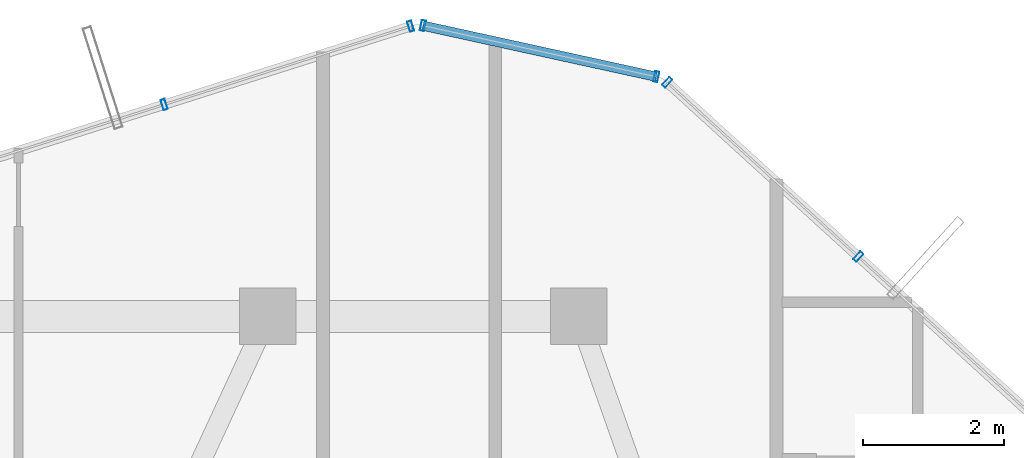
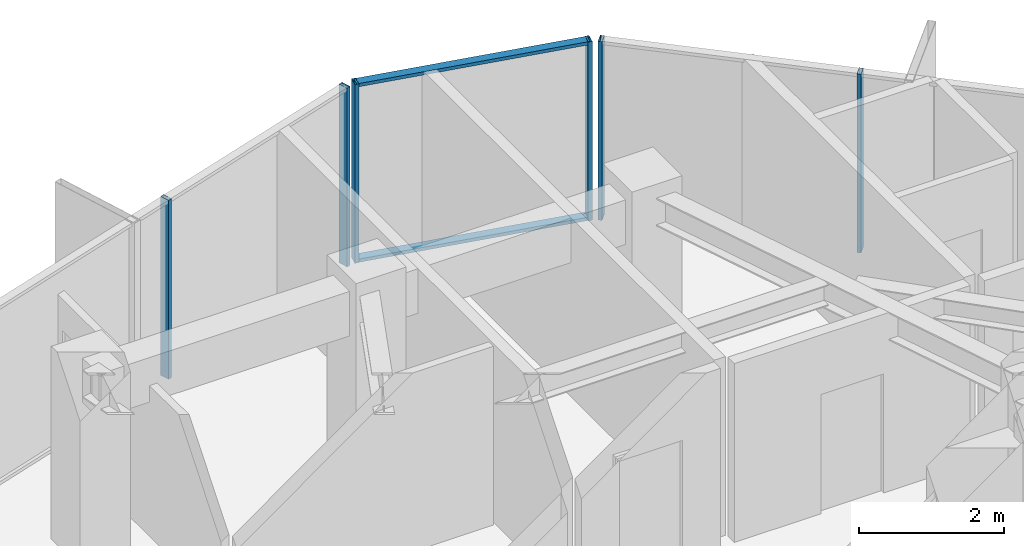
# One storey, part 22 of 28: 8 members, 3 elements without a shape of their own.
"""IFC4 building model written with IfcOpenShell, lengths in metres."""

from ifc_helpers import new_model, si_unit, direction, frame, origin, origin_2d, place, context, subcontext, project, spatial, hollow_rectangle, extrude, source, transform, mapped, material, layer, layer_set, material_profile, profile_set, type_object, element, aggregate, save


model = new_model("IFC4")

# Units and contexts
model_context = context("Model", 3, precision=1e-05, world=origin(), true_north=direction((0.0, 1.0)))
body_context = subcontext(model_context, "Body", "Model", "MODEL_VIEW")
ifc_project = project(units=[si_unit("LENGTHUNIT", "METRE"), si_unit("AREAUNIT", "SQUARE_METRE"), si_unit("VOLUMEUNIT", "CUBIC_METRE"), si_unit("PLANEANGLEUNIT", "RADIAN"), si_unit("MASSUNIT", "GRAM", prefix="KILO")], contexts=[model_context])

# Site, building, storey
site_placement = place(None, origin())
site = spatial("IfcSite", under=ifc_project, at=site_placement, CompositionType="ELEMENT")
building_placement = place(site_placement, origin())
building = spatial("IfcBuilding", under=site, at=building_placement, Name="Veraguas Prism Commons", CompositionType="ELEMENT")
storey_placement = place(building_placement, frame((0.0, 0.0, 251.25)))
storey = spatial("IfcBuildingStorey", under=building, at=storey_placement, Name="L71", CompositionType="ELEMENT", Elevation=251.25)

# Curtain wall, members
ifc_material = material(Name="Anodised aluminium EN AW-6063 T6", Category="aluminium")
ifc_layer = layer(ifc_material, 0.14990234375, Name="Unitised Flush Curtain Wall Zone 4", Category="aluminium")
ifc_layer_set = layer_set([ifc_layer], Name="Anodised aluminium EN AW-6063 T6")
curtain_wall_type = type_object("IfcCurtainWallType", Name="Unitised Flush Curtain Wall Zone 4", PredefinedType="NOTDEFINED", material=ifc_layer_set)
curtain_wall_1_placement = place(storey_placement, origin())
curtain_wall_1 = element("IfcCurtainWall", 1, at=curtain_wall_1_placement, inside=storey, type_object=curtain_wall_type, Name="Tower Facade Curtain Wall L71-F1", PredefinedType="NOTDEFINED")
ifc_material_profile_1 = material_profile(ifc_material, hollow_rectangle(XDim=0.06005859375, YDim=0.14990234375, WallThickness=0.0029296875, at=origin_2d()), Name="AL60X150X3")
ifc_profile_set_1 = profile_set([ifc_material_profile_1], Name="Anodised aluminium EN AW-6063 T6")
member_type_1 = type_object("IfcMemberType", Name="Curtain Wall Mullion Upper AL 60x150x3", PredefinedType="MULLION", material=ifc_profile_set_1)
shared_shape_1 = source(origin(), body_context, "Body", "SweptSolid", [
    extrude(hollow_rectangle(XDim=0.06005859375, YDim=0.14990234375, WallThickness=0.0029296875, at=origin_2d()), origin(), (0.0, 0.0, 1.0), 3.014892578125),
])
member_1_placement = place(storey_placement, frame((32.35888671875, 38.64599609375, 0.0), z_axis=(0.0, 0.0, 1.0), x_axis=(-0.738925912503, 0.673786684219, 0.0)))
member_1 = element("IfcMember", 2, at=member_1_placement, type_object=member_type_1, Name="CW-Z4 Mullion 4", PredefinedType="MULLION", context=body_context, shape_type="MappedRepresentation", body=[
    mapped(shared_shape_1, transform((0.0, 0.0, 0.0), scale=1.0)),
])
member_2_placement = place(storey_placement, frame((29.6533203125, 41.11328125, 0.0), z_axis=(0.0, 0.0, 1.0), x_axis=(-0.738925912503, 0.673786684219, 0.0)))
member_2 = element("IfcMember", 3, at=member_2_placement, type_object=member_type_1, Name="CW-Z4 Mullion 5", PredefinedType="MULLION", context=body_context, shape_type="MappedRepresentation", body=[
    mapped(shared_shape_1, transform((0.0, 0.0, 0.0), scale=1.0)),
])
aggregate(curtain_wall_1, [member_1, member_2])

curtain_wall_2_placement = place(storey_placement, origin())
curtain_wall_2 = element("IfcCurtainWall", 4, at=curtain_wall_2_placement, inside=storey, type_object=curtain_wall_type, Name="Tower Facade Curtain Wall L71-F2", PredefinedType="NOTDEFINED")
member_3_placement = place(storey_placement, frame((26.02099609375, 41.908935546875, 0.0), z_axis=(0.0, 0.0, 1.0), x_axis=(-0.952979870412, -0.30303360637, 0.0)))
member_3 = element("IfcMember", 5, at=member_3_placement, type_object=member_type_1, Name="CW-Z4 Mullion 1", PredefinedType="MULLION", context=body_context, shape_type="MappedRepresentation", body=[
    mapped(shared_shape_1, transform((0.0, 0.0, 0.0), scale=1.0)),
])
member_4_placement = place(storey_placement, frame((22.53173828125, 40.79931640625, 0.0), z_axis=(0.0, 0.0, 1.0), x_axis=(-0.952979870412, -0.30303360637, 0.0)))
member_4 = element("IfcMember", 6, at=member_4_placement, type_object=member_type_1, Name="CW-Z4 Mullion 2", PredefinedType="MULLION", context=body_context, shape_type="MappedRepresentation", body=[
    mapped(shared_shape_1, transform((0.0, 0.0, 0.0), scale=1.0)),
])
aggregate(curtain_wall_2, [member_3, member_4])

curtain_wall_3_placement = place(storey_placement, origin())
curtain_wall_3 = element("IfcCurtainWall", 7, at=curtain_wall_3_placement, inside=storey, type_object=curtain_wall_type, Name="Chamfer Curtain Wall L71-C2", PredefinedType="NOTDEFINED")
member_5_placement = place(storey_placement, frame((29.498779296875, 41.193115234375, 0.0), z_axis=(0.0, 0.0, 1.0), x_axis=(-0.976820459453, 0.214060248512, 0.0)))
member_5 = element("IfcMember", 8, at=member_5_placement, type_object=member_type_1, Name="CW-Z4 Mullion 1", PredefinedType="MULLION", context=body_context, shape_type="MappedRepresentation", body=[
    mapped(shared_shape_1, transform((0.0, 0.0, 0.0), scale=1.0)),
])
member_6_placement = place(storey_placement, frame((26.19482421875, 41.9169921875, 0.0), z_axis=(0.0, 0.0, 1.0), x_axis=(-0.976820459453, 0.214060248512, 0.0)))
member_6 = element("IfcMember", 9, at=member_6_placement, type_object=member_type_1, Name="CW-Z4 Mullion 2", PredefinedType="MULLION", context=body_context, shape_type="MappedRepresentation", body=[
    mapped(shared_shape_1, transform((0.0, 0.0, 0.0), scale=1.0)),
])
ifc_material_profile_2 = material_profile(ifc_material, hollow_rectangle(XDim=0.054931640625, YDim=0.135009765625, WallThickness=0.0029296875, at=origin_2d()), Name="AL55X135X3")
ifc_profile_set_2 = profile_set([ifc_material_profile_2], Name="Anodised aluminium EN AW-6063 T6")
member_type_2 = type_object("IfcMemberType", Name="Curtain Wall Transom Standard AL 55x135x3", PredefinedType="USERDEFINED", material=ifc_profile_set_2)
shared_shape_2 = source(origin(), body_context, "Body", "SweptSolid", [
    extrude(hollow_rectangle(XDim=0.054931640625, YDim=0.135009765625, WallThickness=0.0029296875, at=origin_2d()), origin(), (0.0, 0.0, 1.0), 3.38232421875),
])
member_7_placement = place(storey_placement, frame((29.498779296875, 41.193115234375, 0.027587890625), z_axis=(-0.976829801538, 0.214017613357, 0.0), x_axis=(0.0, 0.0, 1.0)))
member_7 = element("IfcMember", 10, at=member_7_placement, type_object=member_type_2, Name="CW-Z4 Transom 1", ObjectType="TRANSOM", PredefinedType="USERDEFINED", context=body_context, shape_type="MappedRepresentation", body=[
    mapped(shared_shape_2, transform((0.0, 0.0, 0.0), scale=1.0)),
])
member_8_placement = place(storey_placement, frame((29.498779296875, 41.193115234375, 2.987548828125), z_axis=(-0.976829801538, 0.214017613357, 0.0), x_axis=(0.0, 0.0, 1.0)))
member_8 = element("IfcMember", 11, at=member_8_placement, type_object=member_type_2, Name="CW-Z4 Transom 2", ObjectType="TRANSOM", PredefinedType="USERDEFINED", context=body_context, shape_type="MappedRepresentation", body=[
    mapped(shared_shape_2, transform((0.0, 0.0, 0.0), scale=1.0)),
])
aggregate(curtain_wall_3, [member_5, member_6, member_7, member_8])

save(model, "model.ifc")
